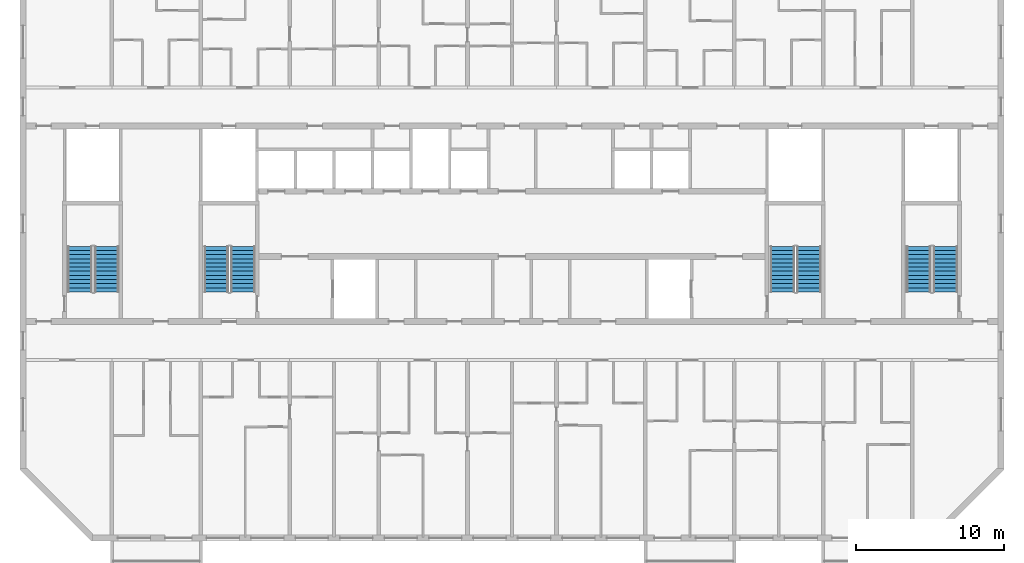
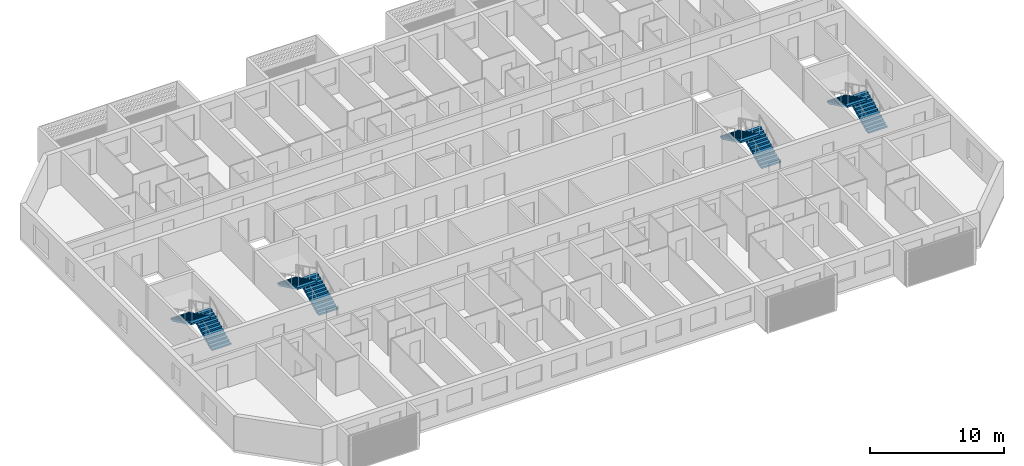
# One storey, part 12 of 28: 8 stair flights, 4 elements without a shape of their own.
"""IFC4 building model written with IfcOpenShell, lengths in metres."""

import ifcopenshell
import ifcopenshell.guid

model = None  # the IFC model being written
_history = None  # IfcOwnerHistory: only IFC2X3 demands one
_inside = {}  # id of a spatial element -> (the spatial element, [elements in it])
_under = {}  # id of a project, library or spatial element -> (it, [spatial elements below it])
_declared = {}  # id of a project -> (the project, [libraries it declares])
_typed = {}  # id of a type object -> (the type object, [elements of that type])
_made_of = {}  # id of a material, layer set ... -> (it, [elements and type objects made of it])


def new_model(schema):
    """Start an empty IFC model of exactly this schema.

    Asked for "IFC4X3", IfcOpenShell would pick the latest addendum, in which some entities
    have other attributes; the version numbers below select the first issue.
    IFC2X3 requires an IfcOwnerHistory on every rooted entity: one is made here for all.
    """
    global model, _history
    if schema == "IFC4X3":
        model = ifcopenshell.file(schema_version=(4, 3, 0, 0))
    else:
        model = ifcopenshell.file(schema=schema)
    _inside.clear()
    _under.clear()
    _declared.clear()
    _typed.clear()
    _made_of.clear()
    _history = None
    if model.schema == "IFC2X3":
        org = make("IfcOrganization", Name="unknown")
        user = make(
            "IfcPersonAndOrganization",
            ThePerson=make("IfcPerson", FamilyName="unknown"),
            TheOrganization=org,
        )
        app = make(
            "IfcApplication",
            ApplicationDeveloper=org,
            Version="unknown",
            ApplicationFullName="unknown",
            ApplicationIdentifier="unknown",
        )
        _history = make(
            "IfcOwnerHistory",
            OwningUser=user,
            OwningApplication=app,
            ChangeAction="ADDED",
            CreationDate=0,
        )
    return model


def make(cls, **values):
    """One entity of the class cls with the attributes given. An attribute that is None is left unset."""
    return model.create_entity(
        cls, **{name: value for name, value in values.items() if value is not None}
    )


def rooted(cls, **values):
    """An entity with a GlobalId (a new one), such as an element, a storey or a relation."""
    return make(cls, GlobalId=ifcopenshell.guid.new(), OwnerHistory=_history, **values)


def si_unit(unit_type, name, prefix=None):
    """IfcSIUnit, for example si_unit("LENGTHUNIT", "METRE", prefix="MILLI")."""
    return make("IfcSIUnit", UnitType=unit_type, Prefix=prefix, Name=name)


def assignment(units):
    """IfcUnitAssignment: the units of a project."""
    return None if units is None else make("IfcUnitAssignment", Units=units)


def point(xyz):
    """IfcCartesianPoint."""
    return None if xyz is None else make("IfcCartesianPoint", Coordinates=xyz)


def direction(xyz):
    """IfcDirection."""
    return None if xyz is None else make("IfcDirection", DirectionRatios=xyz)


def frame(location, z_axis=None, x_axis=None):
    """IfcAxis2Placement3D, a coordinate frame: its origin and axes. An axis left out is left unset."""
    return make(
        "IfcAxis2Placement3D",
        Location=point(location),
        Axis=direction(z_axis),
        RefDirection=direction(x_axis),
    )


def origin():
    """The frame at (0, 0, 0) with its axes left unset."""
    return frame((0.0, 0.0, 0.0))


def place(relative_to, where):
    """IfcLocalPlacement: puts the frame where relative to a parent placement (None: the world)."""
    return make(
        "IfcLocalPlacement", PlacementRelTo=relative_to, RelativePlacement=where
    )


def context(
    kind, dimensions, precision=None, world=None, true_north=None, identifier=None
):
    """IfcGeometricRepresentationContext, for example the 3D "Model" context."""
    return make(
        "IfcGeometricRepresentationContext",
        ContextIdentifier=identifier,
        ContextType=kind,
        CoordinateSpaceDimension=dimensions,
        Precision=precision,
        WorldCoordinateSystem=world,
        TrueNorth=true_north,
    )


def subcontext(parent, identifier, kind, view, scale=None):
    """IfcGeometricRepresentationSubContext, for example "Body" below "Model"."""
    return make(
        "IfcGeometricRepresentationSubContext",
        ContextIdentifier=identifier,
        ContextType=kind,
        ParentContext=parent,
        TargetScale=scale,
        TargetView=view,
    )


def project(units=None, contexts=None):
    """IfcProject with its units and contexts."""
    return rooted(
        "IfcProject",
        Name="project",
        RepresentationContexts=contexts,
        UnitsInContext=assignment(units),
    )


def spatial(cls, under=None, at=None, **own):
    """A site, building, storey or space (cls), placed at a placement, below another one or the project."""
    s = rooted(cls, ObjectPlacement=at, **own)
    if under is not None:
        _under.setdefault(under.id(), (under, []))[1].append(s)
    return s


def polyline(points):
    """IfcPolyline through the points."""
    return make("IfcPolyline", Points=[point(p) for p in points])


def outline(outer, holes=None, kind="AREA"):
    """IfcArbitraryClosedProfileDef: a profile drawn as a closed curve; with holes, ...WithVoids."""
    if holes is None:
        return make("IfcArbitraryClosedProfileDef", ProfileType=kind, OuterCurve=outer)
    return make(
        "IfcArbitraryProfileDefWithVoids",
        ProfileType=kind,
        OuterCurve=outer,
        InnerCurves=holes,
    )


def extrude(swept, where, along, depth):
    """IfcExtrudedAreaSolid: the profile swept, set in the frame where, extruded along a direction by depth."""
    return make(
        "IfcExtrudedAreaSolid",
        SweptArea=swept,
        Position=where,
        ExtrudedDirection=direction(along),
        Depth=depth,
    )


def shape(context_of_items, identifier, shape_type, items):
    """IfcShapeRepresentation: the items that make up one representation, for example the "Body"."""
    return make(
        "IfcShapeRepresentation",
        ContextOfItems=context_of_items,
        RepresentationIdentifier=identifier,
        RepresentationType=shape_type,
        Items=items,
    )


def material(Name=None, Category=None):
    """IfcMaterial."""
    return make("IfcMaterial", Name=Name, Category=Category)


def layer(
    of_material, thickness, ventilated=None, Name=None, Category=None, Priority=None
):
    """IfcMaterialLayer: one layer of a wall or slab, of a material (None: an air gap)."""
    return make(
        "IfcMaterialLayer",
        Material=of_material,
        LayerThickness=thickness,
        IsVentilated=ventilated,
        Name=Name,
        Category=Category,
        Priority=Priority,
    )


def layer_set(layers, Name=None):
    """IfcMaterialLayerSet."""
    return make("IfcMaterialLayerSet", MaterialLayers=layers, LayerSetName=Name)


def made_of(thing, what):
    """Note that an element or type object is made of a material, layer set ...; save() writes the relation."""
    if what is not None:
        _made_of.setdefault(what.id(), (what, []))[1].append(thing)
    return thing


def type_object(cls, material=None, **own):
    """A type object (cls), such as IfcWallType, which elements share."""
    return made_of(rooted(cls, **own), material)


def element(
    cls,
    number,
    at=None,
    inside=None,
    cuts=None,
    type_object=None,
    material=None,
    context=None,
    identifier="Body",
    shape_type=None,
    held_by="IfcProductDefinitionShape",
    body=None,
    shapes=None,
    **own,
):
    """One element of the class cls, such as IfcWall. Its Tag is "e" and its number.

    at: its placement. inside: the storey or other place that contains it. cuts: it is an
    opening in that element (IfcRelVoidsElement). A single representation is given by context,
    identifier, shape_type and body (its items); several are given by shapes. held_by: the class
    of the entity that holds the representations. save() writes the other relations.
    """
    e = rooted(cls, Tag="e%d" % number, ObjectPlacement=at, **own)
    if body is not None:
        shapes = [shape(context, identifier, shape_type, body)]
    if shapes is not None:
        e.Representation = make(held_by, Representations=shapes)
    if inside is not None:
        _inside.setdefault(inside.id(), (inside, []))[1].append(e)
    if cuts is not None:
        rooted(
            "IfcRelVoidsElement", RelatingBuildingElement=cuts, RelatedOpeningElement=e
        )
    if type_object is not None:
        _typed.setdefault(type_object.id(), (type_object, []))[1].append(e)
    return made_of(e, material)


def aggregate(whole, parts):
    """IfcRelAggregates: a whole, such as a stair, and the parts it consists of."""
    return rooted("IfcRelAggregates", RelatingObject=whole, RelatedObjects=parts)


def save(model, path):
    """Write the relations noted so far, then the file.

    IfcRelAggregates (storeys below a building ...), IfcRelContainedInSpatialStructure (elements
    in a storey), IfcRelDefinesByType, IfcRelAssociatesMaterial and IfcRelDeclares: one each for
    every whole, place, type object, material and project.
    """
    for whole, parts in _under.values():
        aggregate(whole, parts)
    for where, things in _inside.values():
        rooted(
            "IfcRelContainedInSpatialStructure",
            RelatedElements=things,
            RelatingStructure=where,
        )
    for kind, things in _typed.values():
        rooted("IfcRelDefinesByType", RelatedObjects=things, RelatingType=kind)
    for what, things in _made_of.values():
        rooted("IfcRelAssociatesMaterial", RelatedObjects=things, RelatingMaterial=what)
    for by, libraries in _declared.values():
        rooted("IfcRelDeclares", RelatingContext=by, RelatedDefinitions=libraries)
    model.write(path)


model = new_model("IFC4")

# Units and contexts
model_context = context("Model", 3, precision=1e-05, world=origin(), true_north=direction((0.0, 1.0)))
body_context = subcontext(model_context, "Body", "Model", "MODEL_VIEW")
ifc_project = project(units=[si_unit("LENGTHUNIT", "METRE"), si_unit("AREAUNIT", "SQUARE_METRE"), si_unit("VOLUMEUNIT", "CUBIC_METRE"), si_unit("PLANEANGLEUNIT", "RADIAN"), si_unit("MASSUNIT", "GRAM", prefix="KILO")], contexts=[model_context])

# Site, building, storey
site_placement = place(None, origin())
site = spatial("IfcSite", under=ifc_project, at=site_placement, CompositionType="ELEMENT")
building_placement = place(site_placement, origin())
building = spatial("IfcBuilding", under=site, at=building_placement, Name="Poui Terraces", CompositionType="ELEMENT")
storey_placement = place(building_placement, frame((0.0, 0.0, 188.39990234375)))
storey = spatial("IfcBuildingStorey", under=building, at=storey_placement, Name="L52", CompositionType="ELEMENT", Elevation=188.39990234375)

# Stair, stair flights
ifc_material = material(Name="Concrete 50 MPa", Category="concrete")
stair_type = type_object("IfcStairType", Name="EXIT STAIR 1650 50 MPA", PredefinedType="HALF_TURN_STAIR", material=ifc_material)
stair_1_placement = place(storey_placement, origin())
stair_1 = element("IfcStair", 1, at=stair_1_placement, inside=storey, type_object=stair_type, Name="L52 CORE STAIR EAST", PredefinedType="HALF_TURN_STAIR")
ifc_layer = layer(ifc_material, 0.14990234375)
ifc_layer_set = layer_set([ifc_layer], Name="Concrete 50 MPa")
stair_flight_type = type_object("IfcStairFlightType", Name="STAIR FLIGHT 12 RISERS 138 RISE 50 MPA", PredefinedType="STRAIGHT", material=ifc_layer_set)
stair_flight_1_placement = place(storey_placement, frame((71.050048828125, 16.60009765625, 0.0), z_axis=(0.0, 0.0, 1.0), x_axis=(0.0, 1.0, 0.0)))
stair_flight_1 = element("IfcStairFlight", 2, at=stair_flight_1_placement, type_object=stair_flight_type, Name="ST-CE flight 1", NumberOfRisers=12, NumberOfTreads=11, PredefinedType="STRAIGHT", RiserHeight=0.1375, TreadLength=0.28, context=body_context, shape_type="SweptSolid", body=[
    extrude(outline(polyline([(0.0, 0.0), (0.0, 0.137451171875), (0.280029296875, 0.137451171875), (0.280029296875, 0.27490234375), (0.56005859375, 0.27490234375), (0.56005859375, 0.41259765625), (0.840087890625, 0.41259765625), (0.840087890625, 0.550048828125), (1.1201171875, 0.550048828125), (1.1201171875, 0.6875), (1.39990234375, 0.6875), (1.39990234375, 0.824951171875), (1.679931640625, 0.824951171875), (1.679931640625, 0.96240234375), (1.9599609375, 0.96240234375), (1.9599609375, 1.10009765625), (2.239990234375, 1.10009765625), (2.239990234375, 1.237548828125), (2.52001953125, 1.237548828125), (2.52001953125, 1.375), (2.800048828125, 1.375), (2.800048828125, 1.512451171875), (3.080078125, 1.512451171875), (3.080078125, 1.64990234375), (3.080078125, 1.345458984375), (0.340087890625, 0.0), (0.0, 0.0)])), frame((0.0, 0.824951171875, 0.0), z_axis=(0.0, -1.0, 0.0), x_axis=(1.0, 0.0, 0.0)), (0.0, 0.0, 1.0), 1.64990234375),
])
stair_flight_2_placement = place(storey_placement, frame((69.25, 19.679931640625, 1.650146484375), z_axis=(0.0, 0.0, 1.0), x_axis=(0.0, -1.0, 0.0)))
stair_flight_2 = element("IfcStairFlight", 3, at=stair_flight_2_placement, type_object=stair_flight_type, Name="ST-CE flight 2", NumberOfRisers=12, NumberOfTreads=11, PredefinedType="STRAIGHT", RiserHeight=0.1375, TreadLength=0.28, context=body_context, shape_type="SweptSolid", body=[
    extrude(outline(polyline([(0.0, 0.0), (0.0, 0.137451171875), (0.280029296875, 0.137451171875), (0.280029296875, 0.27490234375), (0.56005859375, 0.27490234375), (0.56005859375, 0.41259765625), (0.840087890625, 0.41259765625), (0.840087890625, 0.550048828125), (1.1201171875, 0.550048828125), (1.1201171875, 0.6875), (1.39990234375, 0.6875), (1.39990234375, 0.824951171875), (1.679931640625, 0.824951171875), (1.679931640625, 0.96240234375), (1.9599609375, 0.96240234375), (1.9599609375, 1.10009765625), (2.239990234375, 1.10009765625), (2.239990234375, 1.237548828125), (2.52001953125, 1.237548828125), (2.52001953125, 1.375), (2.800048828125, 1.375), (2.800048828125, 1.512451171875), (3.080078125, 1.512451171875), (3.080078125, 1.64990234375), (3.080078125, 1.345458984375), (0.340087890625, 0.0), (0.0, 0.0)])), frame((0.0, 0.824951171875, 0.0), z_axis=(0.0, -1.0, 0.0), x_axis=(1.0, 0.0, 0.0)), (0.0, 0.0, 1.0), 1.64990234375),
])
aggregate(stair_1, [stair_flight_1, stair_flight_2])

stair_2_placement = place(storey_placement, origin())
stair_2 = element("IfcStair", 4, at=stair_2_placement, inside=storey, type_object=stair_type, Name="L52 CORE STAIR WEST", PredefinedType="HALF_TURN_STAIR")
stair_flight_3_placement = place(storey_placement, frame((32.85009765625, 16.60009765625, 0.0), z_axis=(0.0, 0.0, 1.0), x_axis=(0.0, 1.0, 0.0)))
stair_flight_3 = element("IfcStairFlight", 5, at=stair_flight_3_placement, type_object=stair_flight_type, Name="ST-CW flight 1", NumberOfRisers=12, NumberOfTreads=11, PredefinedType="STRAIGHT", RiserHeight=0.1375, TreadLength=0.28, context=body_context, shape_type="SweptSolid", body=[
    extrude(outline(polyline([(0.0, 0.0), (0.0, 0.137451171875), (0.280029296875, 0.137451171875), (0.280029296875, 0.27490234375), (0.56005859375, 0.27490234375), (0.56005859375, 0.41259765625), (0.840087890625, 0.41259765625), (0.840087890625, 0.550048828125), (1.1201171875, 0.550048828125), (1.1201171875, 0.6875), (1.39990234375, 0.6875), (1.39990234375, 0.824951171875), (1.679931640625, 0.824951171875), (1.679931640625, 0.96240234375), (1.9599609375, 0.96240234375), (1.9599609375, 1.10009765625), (2.239990234375, 1.10009765625), (2.239990234375, 1.237548828125), (2.52001953125, 1.237548828125), (2.52001953125, 1.375), (2.800048828125, 1.375), (2.800048828125, 1.512451171875), (3.080078125, 1.512451171875), (3.080078125, 1.64990234375), (3.080078125, 1.345458984375), (0.340087890625, 0.0), (0.0, 0.0)])), frame((0.0, 0.824951171875, 0.0), z_axis=(0.0, -1.0, 0.0), x_axis=(1.0, 0.0, 0.0)), (0.0, 0.0, 1.0), 1.64990234375),
])
stair_flight_4_placement = place(storey_placement, frame((31.050048828125, 19.679931640625, 1.650146484375), z_axis=(0.0, 0.0, 1.0), x_axis=(0.0, -1.0, 0.0)))
stair_flight_4 = element("IfcStairFlight", 6, at=stair_flight_4_placement, type_object=stair_flight_type, Name="ST-CW flight 2", NumberOfRisers=12, NumberOfTreads=11, PredefinedType="STRAIGHT", RiserHeight=0.1375, TreadLength=0.28, context=body_context, shape_type="SweptSolid", body=[
    extrude(outline(polyline([(0.0, 0.0), (0.0, 0.137451171875), (0.280029296875, 0.137451171875), (0.280029296875, 0.27490234375), (0.56005859375, 0.27490234375), (0.56005859375, 0.41259765625), (0.840087890625, 0.41259765625), (0.840087890625, 0.550048828125), (1.1201171875, 0.550048828125), (1.1201171875, 0.6875), (1.39990234375, 0.6875), (1.39990234375, 0.824951171875), (1.679931640625, 0.824951171875), (1.679931640625, 0.96240234375), (1.9599609375, 0.96240234375), (1.9599609375, 1.10009765625), (2.239990234375, 1.10009765625), (2.239990234375, 1.237548828125), (2.52001953125, 1.237548828125), (2.52001953125, 1.375), (2.800048828125, 1.375), (2.800048828125, 1.512451171875), (3.080078125, 1.512451171875), (3.080078125, 1.64990234375), (3.080078125, 1.345458984375), (0.340087890625, 0.0), (0.0, 0.0)])), frame((0.0, 0.824951171875, 0.0), z_axis=(0.0, -1.0, 0.0), x_axis=(1.0, 0.0, 0.0)), (0.0, 0.0, 1.0), 1.64990234375),
])
aggregate(stair_2, [stair_flight_3, stair_flight_4])

stair_3_placement = place(storey_placement, origin())
stair_3 = element("IfcStair", 7, at=stair_3_placement, inside=storey, type_object=stair_type, Name="L52 TIP STAIR EAST", PredefinedType="HALF_TURN_STAIR")
stair_flight_5_placement = place(storey_placement, frame((80.25, 16.60009765625, 0.0), z_axis=(0.0, 0.0, 1.0), x_axis=(0.0, 1.0, 0.0)))
stair_flight_5 = element("IfcStairFlight", 8, at=stair_flight_5_placement, type_object=stair_flight_type, Name="ST-E flight 1", NumberOfRisers=12, NumberOfTreads=11, PredefinedType="STRAIGHT", RiserHeight=0.1375, TreadLength=0.28, context=body_context, shape_type="SweptSolid", body=[
    extrude(outline(polyline([(0.0, 0.0), (0.0, 0.137451171875), (0.280029296875, 0.137451171875), (0.280029296875, 0.27490234375), (0.56005859375, 0.27490234375), (0.56005859375, 0.41259765625), (0.840087890625, 0.41259765625), (0.840087890625, 0.550048828125), (1.1201171875, 0.550048828125), (1.1201171875, 0.6875), (1.39990234375, 0.6875), (1.39990234375, 0.824951171875), (1.679931640625, 0.824951171875), (1.679931640625, 0.96240234375), (1.9599609375, 0.96240234375), (1.9599609375, 1.10009765625), (2.239990234375, 1.10009765625), (2.239990234375, 1.237548828125), (2.52001953125, 1.237548828125), (2.52001953125, 1.375), (2.800048828125, 1.375), (2.800048828125, 1.512451171875), (3.080078125, 1.512451171875), (3.080078125, 1.64990234375), (3.080078125, 1.345458984375), (0.340087890625, 0.0), (0.0, 0.0)])), frame((0.0, 0.824951171875, 0.0), z_axis=(0.0, -1.0, 0.0), x_axis=(1.0, 0.0, 0.0)), (0.0, 0.0, 1.0), 1.64990234375),
])
stair_flight_6_placement = place(storey_placement, frame((78.449951171875, 19.679931640625, 1.650146484375), z_axis=(0.0, 0.0, 1.0), x_axis=(0.0, -1.0, 0.0)))
stair_flight_6 = element("IfcStairFlight", 9, at=stair_flight_6_placement, type_object=stair_flight_type, Name="ST-E flight 2", NumberOfRisers=12, NumberOfTreads=11, PredefinedType="STRAIGHT", RiserHeight=0.1375, TreadLength=0.28, context=body_context, shape_type="SweptSolid", body=[
    extrude(outline(polyline([(0.0, 0.0), (0.0, 0.137451171875), (0.280029296875, 0.137451171875), (0.280029296875, 0.27490234375), (0.56005859375, 0.27490234375), (0.56005859375, 0.41259765625), (0.840087890625, 0.41259765625), (0.840087890625, 0.550048828125), (1.1201171875, 0.550048828125), (1.1201171875, 0.6875), (1.39990234375, 0.6875), (1.39990234375, 0.824951171875), (1.679931640625, 0.824951171875), (1.679931640625, 0.96240234375), (1.9599609375, 0.96240234375), (1.9599609375, 1.10009765625), (2.239990234375, 1.10009765625), (2.239990234375, 1.237548828125), (2.52001953125, 1.237548828125), (2.52001953125, 1.375), (2.800048828125, 1.375), (2.800048828125, 1.512451171875), (3.080078125, 1.512451171875), (3.080078125, 1.64990234375), (3.080078125, 1.345458984375), (0.340087890625, 0.0), (0.0, 0.0)])), frame((0.0, 0.824951171875, 0.0), z_axis=(0.0, -1.0, 0.0), x_axis=(1.0, 0.0, 0.0)), (0.0, 0.0, 1.0), 1.64990234375),
])
aggregate(stair_3, [stair_flight_5, stair_flight_6])

stair_4_placement = place(storey_placement, origin())
stair_4 = element("IfcStair", 10, at=stair_4_placement, inside=storey, type_object=stair_type, Name="L52 TIP STAIR WEST", PredefinedType="HALF_TURN_STAIR")
stair_flight_7_placement = place(storey_placement, frame((23.64990234375, 16.60009765625, 0.0), z_axis=(0.0, 0.0, 1.0), x_axis=(0.0, 1.0, 0.0)))
stair_flight_7 = element("IfcStairFlight", 11, at=stair_flight_7_placement, type_object=stair_flight_type, Name="ST-W flight 1", NumberOfRisers=12, NumberOfTreads=11, PredefinedType="STRAIGHT", RiserHeight=0.1375, TreadLength=0.28, context=body_context, shape_type="SweptSolid", body=[
    extrude(outline(polyline([(0.0, 0.0), (0.0, 0.137451171875), (0.280029296875, 0.137451171875), (0.280029296875, 0.27490234375), (0.56005859375, 0.27490234375), (0.56005859375, 0.41259765625), (0.840087890625, 0.41259765625), (0.840087890625, 0.550048828125), (1.1201171875, 0.550048828125), (1.1201171875, 0.6875), (1.39990234375, 0.6875), (1.39990234375, 0.824951171875), (1.679931640625, 0.824951171875), (1.679931640625, 0.96240234375), (1.9599609375, 0.96240234375), (1.9599609375, 1.10009765625), (2.239990234375, 1.10009765625), (2.239990234375, 1.237548828125), (2.52001953125, 1.237548828125), (2.52001953125, 1.375), (2.800048828125, 1.375), (2.800048828125, 1.512451171875), (3.080078125, 1.512451171875), (3.080078125, 1.64990234375), (3.080078125, 1.345458984375), (0.340087890625, 0.0), (0.0, 0.0)])), frame((0.0, 0.824951171875, 0.0), z_axis=(0.0, -1.0, 0.0), x_axis=(1.0, 0.0, 0.0)), (0.0, 0.0, 1.0), 1.64990234375),
])
stair_flight_8_placement = place(storey_placement, frame((21.85009765625, 19.679931640625, 1.650146484375), z_axis=(0.0, 0.0, 1.0), x_axis=(0.0, -1.0, 0.0)))
stair_flight_8 = element("IfcStairFlight", 12, at=stair_flight_8_placement, type_object=stair_flight_type, Name="ST-W flight 2", NumberOfRisers=12, NumberOfTreads=11, PredefinedType="STRAIGHT", RiserHeight=0.1375, TreadLength=0.28, context=body_context, shape_type="SweptSolid", body=[
    extrude(outline(polyline([(0.0, 0.0), (0.0, 0.137451171875), (0.280029296875, 0.137451171875), (0.280029296875, 0.27490234375), (0.56005859375, 0.27490234375), (0.56005859375, 0.41259765625), (0.840087890625, 0.41259765625), (0.840087890625, 0.550048828125), (1.1201171875, 0.550048828125), (1.1201171875, 0.6875), (1.39990234375, 0.6875), (1.39990234375, 0.824951171875), (1.679931640625, 0.824951171875), (1.679931640625, 0.96240234375), (1.9599609375, 0.96240234375), (1.9599609375, 1.10009765625), (2.239990234375, 1.10009765625), (2.239990234375, 1.237548828125), (2.52001953125, 1.237548828125), (2.52001953125, 1.375), (2.800048828125, 1.375), (2.800048828125, 1.512451171875), (3.080078125, 1.512451171875), (3.080078125, 1.64990234375), (3.080078125, 1.345458984375), (0.340087890625, 0.0), (0.0, 0.0)])), frame((0.0, 0.824951171875, 0.0), z_axis=(0.0, -1.0, 0.0), x_axis=(1.0, 0.0, 0.0)), (0.0, 0.0, 1.0), 1.64990234375),
])
aggregate(stair_4, [stair_flight_7, stair_flight_8])

save(model, "model.ifc")
